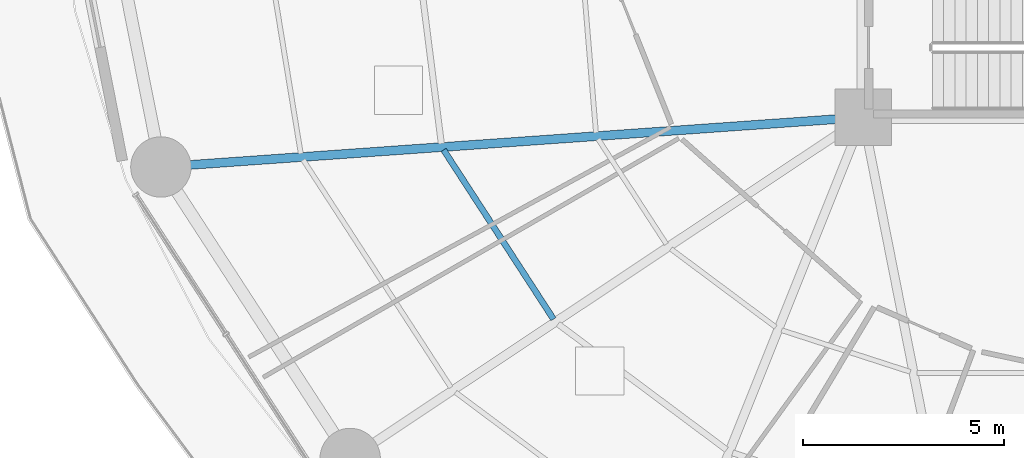
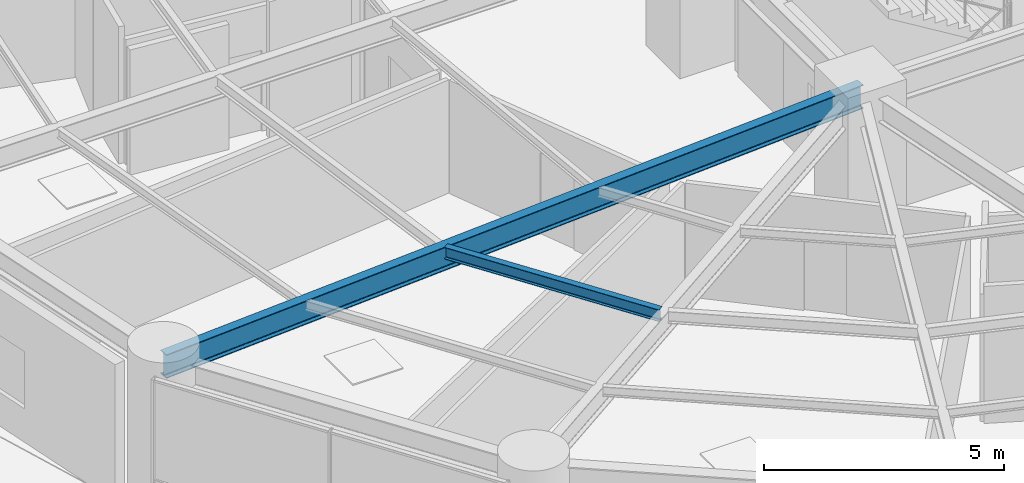
# One storey, part 5 of 33: 2 beams.
"""IFC4 building model written with IfcOpenShell, lengths in metres."""

from ifc_helpers import new_model, si_unit, direction, frame, origin, origin_2d, place, context, subcontext, project, spatial, i_section, extrude, material, material_profile, profile_set, type_object, element, save


model = new_model("IFC4")

# Units and contexts
model_context = context("Model", 3, precision=1e-05, world=origin(), true_north=direction((0.0, 1.0)))
body_context = subcontext(model_context, "Body", "Model", "MODEL_VIEW")
ifc_project = project(units=[si_unit("LENGTHUNIT", "METRE"), si_unit("AREAUNIT", "SQUARE_METRE"), si_unit("VOLUMEUNIT", "CUBIC_METRE"), si_unit("PLANEANGLEUNIT", "RADIAN"), si_unit("MASSUNIT", "GRAM", prefix="KILO")], contexts=[model_context])

# Site, building, storey
site_placement = place(None, origin())
site = spatial("IfcSite", under=ifc_project, at=site_placement, CompositionType="ELEMENT")
building_placement = place(site_placement, origin())
building = spatial("IfcBuilding", under=site, at=building_placement, Name="Kelanora Arch Commons", CompositionType="ELEMENT")
storey_placement = place(building_placement, frame((0.0, 0.0, 45.0)))
storey = spatial("IfcBuildingStorey", under=building, at=storey_placement, Name="L11", CompositionType="ELEMENT", Elevation=45.0)

# Beams
ifc_material = material(Name="Steel S355", Category="steel")
ifc_material_profile_1 = material_profile(ifc_material, i_section(OverallWidth=0.14990234375, OverallDepth=0.300048828125, WebThickness=0.007080078125, FlangeThickness=0.0107421875, FilletRadius=0.014892578125, at=origin_2d()), Name="IPE300")
ifc_profile_set_1 = profile_set([ifc_material_profile_1], Name="Steel S355")
beam_type_1 = type_object("IfcBeamType", Name="BM-JST-01", PredefinedType="JOIST", material=ifc_profile_set_1)
beam_1_placement = place(storey_placement, frame((55.578125, 50.187255859375, 3.340087890625), z_axis=(0.544551588245, -0.838727350061, 0.0), x_axis=(0.838727350061, 0.544551588245, 0.0)))
element("IfcBeam", 1, at=beam_1_placement, inside=storey, type_object=beam_type_1, Name="Secondary Chord Joist BJB-20 L11", PredefinedType="JOIST", context=body_context, shape_type="SweptSolid", body=[
    extrude(i_section(OverallWidth=0.14990234375, OverallDepth=0.300048828125, WebThickness=0.007080078125, FlangeThickness=0.0107421875, FilletRadius=0.014892578125, at=origin_2d()), origin(), (0.0, 0.0, 1.0), 5.010986328125),
])
ifc_material_profile_2 = material_profile(ifc_material, i_section(OverallWidth=0.219970703125, OverallDepth=0.60009765625, WebThickness=0.011962890625, FlangeThickness=0.01904296875, FilletRadius=0.02392578125, at=origin_2d()), Name="IPE600")
ifc_profile_set_2 = profile_set([ifc_material_profile_2], Name="Steel S355")
beam_type_2 = type_object("IfcBeamType", Name="BM-RAD-Z1", PredefinedType="BEAM", material=ifc_profile_set_2)
beam_2_placement = place(storey_placement, frame((66.0, 51.0, 3.18994140625), z_axis=(-0.997500683472, -0.070656821848, 0.0), x_axis=(0.070656821848, -0.997500683472, 0.0)))
element("IfcBeam", 2, at=beam_2_placement, inside=storey, type_object=beam_type_2, Name="Radial Floor Girder BR-20 L11", PredefinedType="BEAM", context=body_context, shape_type="SweptSolid", body=[
    extrude(i_section(OverallWidth=0.219970703125, OverallDepth=0.60009765625, WebThickness=0.011962890625, FlangeThickness=0.01904296875, FilletRadius=0.02392578125, at=origin_2d()), origin(), (0.0, 0.0, 1.0), 17.49072265625),
])

save(model, "model.ifc")
